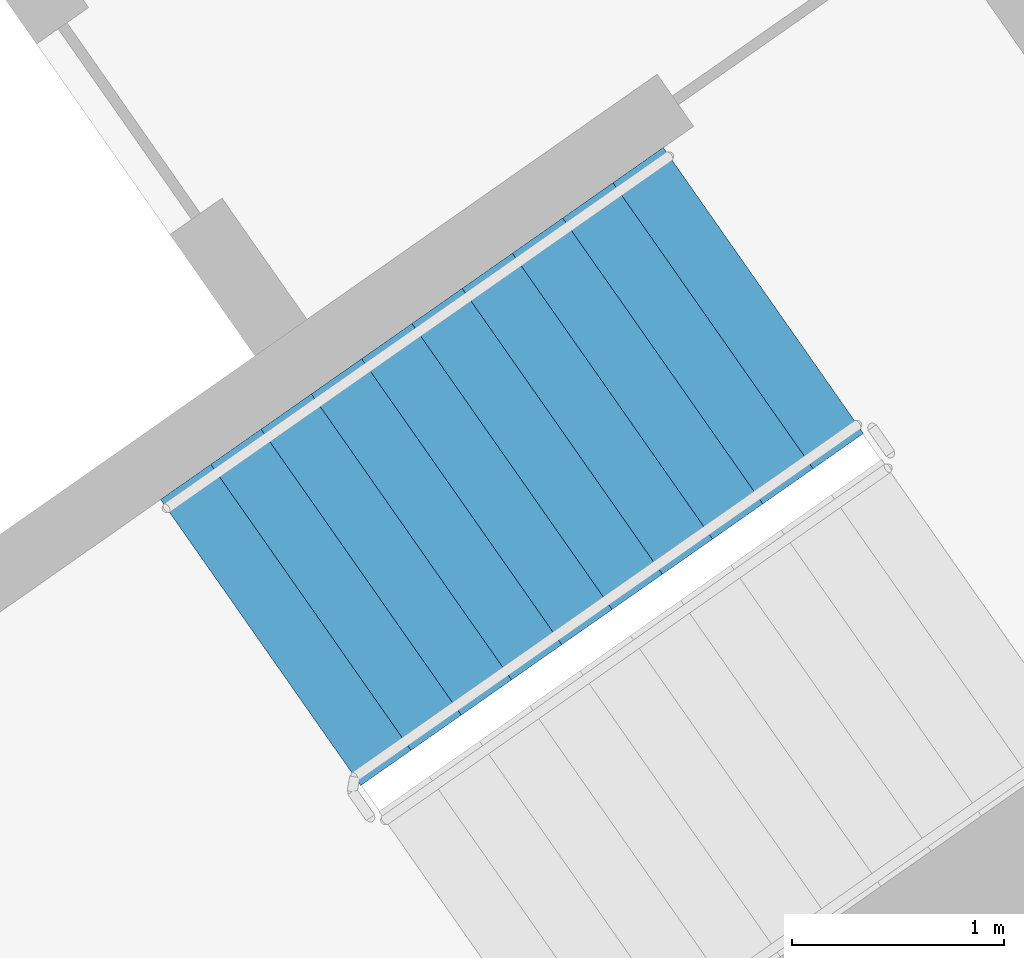
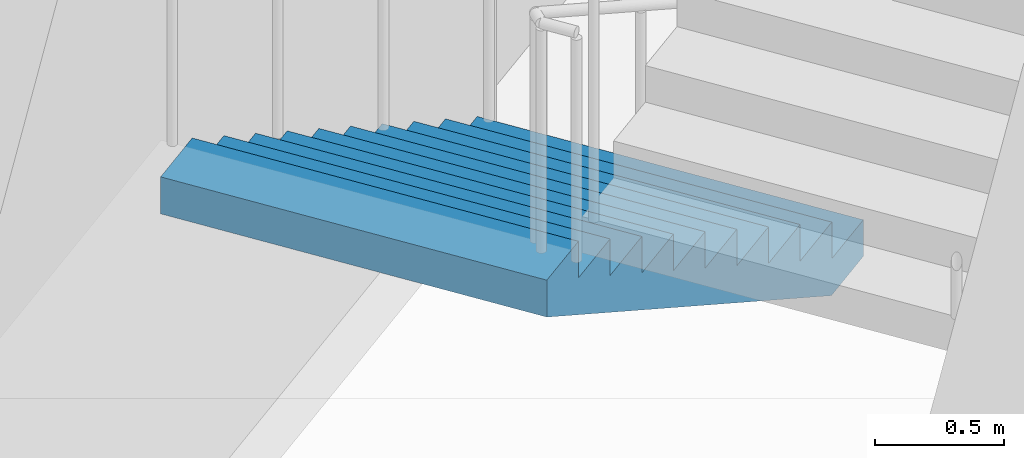
# One storey, part 17 of 31: 1 stair flight, 1 element without a shape of its own.
"""IFC4 building model written with IfcOpenShell, lengths in metres."""

import ifcopenshell
import ifcopenshell.guid

model = None  # the IFC model being written
_history = None  # IfcOwnerHistory: only IFC2X3 demands one
_inside = {}  # id of a spatial element -> (the spatial element, [elements in it])
_under = {}  # id of a project, library or spatial element -> (it, [spatial elements below it])
_declared = {}  # id of a project -> (the project, [libraries it declares])
_typed = {}  # id of a type object -> (the type object, [elements of that type])
_made_of = {}  # id of a material, layer set ... -> (it, [elements and type objects made of it])


def new_model(schema):
    """Start an empty IFC model of exactly this schema.

    Asked for "IFC4X3", IfcOpenShell would pick the latest addendum, in which some entities
    have other attributes; the version numbers below select the first issue.
    IFC2X3 requires an IfcOwnerHistory on every rooted entity: one is made here for all.
    """
    global model, _history
    if schema == "IFC4X3":
        model = ifcopenshell.file(schema_version=(4, 3, 0, 0))
    else:
        model = ifcopenshell.file(schema=schema)
    _inside.clear()
    _under.clear()
    _declared.clear()
    _typed.clear()
    _made_of.clear()
    _history = None
    if model.schema == "IFC2X3":
        org = make("IfcOrganization", Name="unknown")
        user = make(
            "IfcPersonAndOrganization",
            ThePerson=make("IfcPerson", FamilyName="unknown"),
            TheOrganization=org,
        )
        app = make(
            "IfcApplication",
            ApplicationDeveloper=org,
            Version="unknown",
            ApplicationFullName="unknown",
            ApplicationIdentifier="unknown",
        )
        _history = make(
            "IfcOwnerHistory",
            OwningUser=user,
            OwningApplication=app,
            ChangeAction="ADDED",
            CreationDate=0,
        )
    return model


def make(cls, **values):
    """One entity of the class cls with the attributes given. An attribute that is None is left unset."""
    return model.create_entity(
        cls, **{name: value for name, value in values.items() if value is not None}
    )


def rooted(cls, **values):
    """An entity with a GlobalId (a new one), such as an element, a storey or a relation."""
    return make(cls, GlobalId=ifcopenshell.guid.new(), OwnerHistory=_history, **values)


def si_unit(unit_type, name, prefix=None):
    """IfcSIUnit, for example si_unit("LENGTHUNIT", "METRE", prefix="MILLI")."""
    return make("IfcSIUnit", UnitType=unit_type, Prefix=prefix, Name=name)


def assignment(units):
    """IfcUnitAssignment: the units of a project."""
    return None if units is None else make("IfcUnitAssignment", Units=units)


def point(xyz):
    """IfcCartesianPoint."""
    return None if xyz is None else make("IfcCartesianPoint", Coordinates=xyz)


def direction(xyz):
    """IfcDirection."""
    return None if xyz is None else make("IfcDirection", DirectionRatios=xyz)


def frame(location, z_axis=None, x_axis=None):
    """IfcAxis2Placement3D, a coordinate frame: its origin and axes. An axis left out is left unset."""
    return make(
        "IfcAxis2Placement3D",
        Location=point(location),
        Axis=direction(z_axis),
        RefDirection=direction(x_axis),
    )


def origin():
    """The frame at (0, 0, 0) with its axes left unset."""
    return frame((0.0, 0.0, 0.0))


def place(relative_to, where):
    """IfcLocalPlacement: puts the frame where relative to a parent placement (None: the world)."""
    return make(
        "IfcLocalPlacement", PlacementRelTo=relative_to, RelativePlacement=where
    )


def context(
    kind, dimensions, precision=None, world=None, true_north=None, identifier=None
):
    """IfcGeometricRepresentationContext, for example the 3D "Model" context."""
    return make(
        "IfcGeometricRepresentationContext",
        ContextIdentifier=identifier,
        ContextType=kind,
        CoordinateSpaceDimension=dimensions,
        Precision=precision,
        WorldCoordinateSystem=world,
        TrueNorth=true_north,
    )


def subcontext(parent, identifier, kind, view, scale=None):
    """IfcGeometricRepresentationSubContext, for example "Body" below "Model"."""
    return make(
        "IfcGeometricRepresentationSubContext",
        ContextIdentifier=identifier,
        ContextType=kind,
        ParentContext=parent,
        TargetScale=scale,
        TargetView=view,
    )


def project(units=None, contexts=None):
    """IfcProject with its units and contexts."""
    return rooted(
        "IfcProject",
        Name="project",
        RepresentationContexts=contexts,
        UnitsInContext=assignment(units),
    )


def spatial(cls, under=None, at=None, **own):
    """A site, building, storey or space (cls), placed at a placement, below another one or the project."""
    s = rooted(cls, ObjectPlacement=at, **own)
    if under is not None:
        _under.setdefault(under.id(), (under, []))[1].append(s)
    return s


def faces_of(points, faces, orient=None, outer=None):
    """IfcFace entities. A face is a list of loops; a loop is a list of indices into points, from 0.

    orient and outer hold one flag for each loop. By default every Orientation is true, the
    first loop of a face is its IfcFaceOuterBound and the others are IfcFaceBound.
    """
    made = []
    for i, loops in enumerate(faces):
        bounds = []
        for j, loop in enumerate(loops):
            is_outer = j == 0 if outer is None else outer[i][j]
            bounds.append(
                make(
                    "IfcFaceOuterBound" if is_outer else "IfcFaceBound",
                    Bound=make("IfcPolyLoop", Polygon=[points[k] for k in loop]),
                    Orientation=True if orient is None else orient[i][j],
                )
            )
        made.append(make("IfcFace", Bounds=bounds))
    return made


def faceted_brep(points, faces, orient=None, outer=None, voids=None):
    """IfcFacetedBrep: a solid bounded by flat faces; with voids (closed shells), ...WithVoids."""
    shared = [point(p) for p in points]
    hull = make("IfcClosedShell", CfsFaces=faces_of(shared, faces, orient, outer))
    if voids is None:
        return make("IfcFacetedBrep", Outer=hull)
    return make(
        "IfcFacetedBrepWithVoids",
        Outer=hull,
        Voids=[
            make(cls, CfsFaces=faces_of(shared, fs, o, b)) for cls, fs, o, b in voids
        ],
    )


def shape(context_of_items, identifier, shape_type, items):
    """IfcShapeRepresentation: the items that make up one representation, for example the "Body"."""
    return make(
        "IfcShapeRepresentation",
        ContextOfItems=context_of_items,
        RepresentationIdentifier=identifier,
        RepresentationType=shape_type,
        Items=items,
    )


def material(Name=None, Category=None):
    """IfcMaterial."""
    return make("IfcMaterial", Name=Name, Category=Category)


def made_of(thing, what):
    """Note that an element or type object is made of a material, layer set ...; save() writes the relation."""
    if what is not None:
        _made_of.setdefault(what.id(), (what, []))[1].append(thing)
    return thing


def type_object(cls, material=None, **own):
    """A type object (cls), such as IfcWallType, which elements share."""
    return made_of(rooted(cls, **own), material)


def element(
    cls,
    number,
    at=None,
    inside=None,
    cuts=None,
    type_object=None,
    material=None,
    context=None,
    identifier="Body",
    shape_type=None,
    held_by="IfcProductDefinitionShape",
    body=None,
    shapes=None,
    **own,
):
    """One element of the class cls, such as IfcWall. Its Tag is "e" and its number.

    at: its placement. inside: the storey or other place that contains it. cuts: it is an
    opening in that element (IfcRelVoidsElement). A single representation is given by context,
    identifier, shape_type and body (its items); several are given by shapes. held_by: the class
    of the entity that holds the representations. save() writes the other relations.
    """
    e = rooted(cls, Tag="e%d" % number, ObjectPlacement=at, **own)
    if body is not None:
        shapes = [shape(context, identifier, shape_type, body)]
    if shapes is not None:
        e.Representation = make(held_by, Representations=shapes)
    if inside is not None:
        _inside.setdefault(inside.id(), (inside, []))[1].append(e)
    if cuts is not None:
        rooted(
            "IfcRelVoidsElement", RelatingBuildingElement=cuts, RelatedOpeningElement=e
        )
    if type_object is not None:
        _typed.setdefault(type_object.id(), (type_object, []))[1].append(e)
    return made_of(e, material)


def aggregate(whole, parts):
    """IfcRelAggregates: a whole, such as a stair, and the parts it consists of."""
    return rooted("IfcRelAggregates", RelatingObject=whole, RelatedObjects=parts)


def save(model, path):
    """Write the relations noted so far, then the file.

    IfcRelAggregates (storeys below a building ...), IfcRelContainedInSpatialStructure (elements
    in a storey), IfcRelDefinesByType, IfcRelAssociatesMaterial and IfcRelDeclares: one each for
    every whole, place, type object, material and project.
    """
    for whole, parts in _under.values():
        aggregate(whole, parts)
    for where, things in _inside.values():
        rooted(
            "IfcRelContainedInSpatialStructure",
            RelatedElements=things,
            RelatingStructure=where,
        )
    for kind, things in _typed.values():
        rooted("IfcRelDefinesByType", RelatedObjects=things, RelatingType=kind)
    for what, things in _made_of.values():
        rooted("IfcRelAssociatesMaterial", RelatedObjects=things, RelatingMaterial=what)
    for by, libraries in _declared.values():
        rooted("IfcRelDeclares", RelatingContext=by, RelatedDefinitions=libraries)
    model.write(path)


model = new_model("IFC4")

# Units and contexts
model_context = context("Model", 3, precision=1e-05, world=origin(), true_north=direction((0.0, 1.0)))
body_context = subcontext(model_context, "Body", "Model", "MODEL_VIEW")
ifc_project = project(units=[si_unit("LENGTHUNIT", "METRE"), si_unit("AREAUNIT", "SQUARE_METRE"), si_unit("VOLUMEUNIT", "CUBIC_METRE"), si_unit("PLANEANGLEUNIT", "RADIAN"), si_unit("MASSUNIT", "GRAM", prefix="KILO")], contexts=[model_context])

# Site, building, storey
site_placement = place(None, origin())
site = spatial("IfcSite", under=ifc_project, at=site_placement, CompositionType="ELEMENT")
building_placement = place(site_placement, origin())
building = spatial("IfcBuilding", under=site, at=building_placement, Name="Qamariyya Broadcast Tower", CompositionType="ELEMENT")
storey_placement = place(building_placement, frame((0.0, 0.0, 86.10009765625)))
storey = spatial("IfcBuildingStorey", under=building, at=storey_placement, Name="L18", CompositionType="ELEMENT", Elevation=86.10009765625)

# Stair, stair flight
ifc_material = material(Name="Concrete C50/60", Category="concrete")
stair_type = type_object("IfcStairType", Name="Exit stair 22 risers of 173 mm", PredefinedType="HALF_TURN_STAIR", material=ifc_material)
stair_placement = place(storey_placement, origin())
stair = element("IfcStair", 1, at=stair_placement, inside=storey, type_object=stair_type, Name="L18 Stair E1", PredefinedType="HALF_TURN_STAIR")
stair_flight_type = type_object("IfcStairFlightType", Name="Exit stair flight 11 risers of 173 mm", PredefinedType="STRAIGHT", material=ifc_material)
stair_flight_placement = place(storey_placement, frame((46.036376953125, -55.508056640625, 0.0), z_axis=(0.0, 0.0, 1.0), x_axis=(-0.819152044289, -0.573576436351, 0.0)))
stair_flight = element("IfcStairFlight", 2, at=stair_flight_placement, type_object=stair_flight_type, Name="ST-E1 flight 1", NumberOfRisers=11, NumberOfTreads=10, PredefinedType="STRAIGHT", RiserHeight=0.172727273, TreadLength=0.29, context=body_context, shape_type="Brep", body=[
    faceted_brep([(0.0, 0.824951171875, 0.0), (0.0, 0.824951171875, 0.172607421875), (0.2900390625, 0.824951171875, 0.172607421875), (0.2900390625, 0.824951171875, 0.345458984375), (0.580078125, 0.824951171875, 0.345458984375), (0.580078125, 0.824951171875, 0.51806640625), (0.8701171875, 0.824951171875, 0.51806640625), (0.8701171875, 0.824951171875, 0.69091796875), (1.159912109375, 0.824951171875, 0.69091796875), (1.159912109375, 0.824951171875, 0.863525390625), (1.449951171875, 0.824951171875, 0.863525390625), (1.449951171875, 0.824951171875, 1.036376953125), (1.739990234375, 0.824951171875, 1.036376953125), (1.739990234375, 0.824951171875, 1.208984375), (2.030029296875, 0.824951171875, 1.208984375), (2.030029296875, 0.824951171875, 1.3818359375), (2.320068359375, 0.824951171875, 1.3818359375), (2.320068359375, 0.824951171875, 1.554443359375), (2.610107421875, 0.824951171875, 1.554443359375), (2.610107421875, 0.824951171875, 1.727294921875), (2.89990234375, 0.824951171875, 1.727294921875), (2.89990234375, 0.824951171875, 1.552734375), (0.29296875, 0.824951171875, 0.0), (0.29296875, -0.824951171875, 0.0), (2.89990234375, -0.824951171875, 1.552734375), (2.89990234375, -0.824951171875, 1.727294921875), (2.610107421875, -0.824951171875, 1.727294921875), (2.610107421875, -0.824951171875, 1.554443359375), (2.320068359375, -0.824951171875, 1.554443359375), (2.320068359375, -0.824951171875, 1.3818359375), (2.030029296875, -0.824951171875, 1.3818359375), (2.030029296875, -0.824951171875, 1.208984375), (1.739990234375, -0.824951171875, 1.208984375), (1.739990234375, -0.824951171875, 1.036376953125), (1.449951171875, -0.824951171875, 1.036376953125), (1.449951171875, -0.824951171875, 0.863525390625), (1.159912109375, -0.824951171875, 0.863525390625), (1.159912109375, -0.824951171875, 0.69091796875), (0.8701171875, -0.824951171875, 0.69091796875), (0.8701171875, -0.824951171875, 0.51806640625), (0.580078125, -0.824951171875, 0.51806640625), (0.580078125, -0.824951171875, 0.345458984375), (0.2900390625, -0.824951171875, 0.345458984375), (0.2900390625, -0.824951171875, 0.172607421875), (0.0, -0.824951171875, 0.172607421875), (0.0, -0.824951171875, 0.0), (0.0, 0.10009765625, 0.0), (0.0, 0.086669921875, 0.0), (0.0, 0.0732421875, 0.0), (0.0, 0.06005859375, 0.0), (0.0, 0.046630859375, 0.0), (0.0, 0.033447265625, 0.0), (0.0, 0.02001953125, 0.0), (0.0, 0.006591796875, 0.0), (0.0, -0.006591796875, 0.0), (0.0, -0.02001953125, 0.0), (0.0, -0.033447265625, 0.0), (0.0, -0.046630859375, 0.0), (0.0, -0.06005859375, 0.0), (0.0, -0.0732421875, 0.0), (0.0, -0.086669921875, 0.0), (0.0, -0.10009765625, 0.0), (0.0, -0.10009765625, 0.172607421875), (0.0, -0.086669921875, 0.172607421875), (0.0, -0.0732421875, 0.172607421875), (0.0, -0.06005859375, 0.172607421875), (0.0, -0.046630859375, 0.172607421875), (0.0, -0.033447265625, 0.172607421875), (0.0, -0.02001953125, 0.172607421875), (0.0, -0.006591796875, 0.172607421875), (0.0, 0.006591796875, 0.172607421875), (0.0, 0.02001953125, 0.172607421875), (0.0, 0.033447265625, 0.172607421875), (0.0, 0.046630859375, 0.172607421875), (0.0, 0.06005859375, 0.172607421875), (0.0, 0.0732421875, 0.172607421875), (0.0, 0.086669921875, 0.172607421875), (0.0, 0.10009765625, 0.172607421875), (0.2900390625, -0.10009765625, 0.172607421875), (0.2900390625, -0.086669921875, 0.172607421875), (0.2900390625, -0.0732421875, 0.172607421875), (0.2900390625, -0.06005859375, 0.172607421875), (0.2900390625, -0.046630859375, 0.172607421875), (0.2900390625, -0.033447265625, 0.172607421875), (0.2900390625, -0.02001953125, 0.172607421875), (0.2900390625, -0.006591796875, 0.172607421875), (0.2900390625, 0.006591796875, 0.172607421875), (0.2900390625, 0.02001953125, 0.172607421875), (0.2900390625, 0.033447265625, 0.172607421875), (0.2900390625, 0.046630859375, 0.172607421875), (0.2900390625, 0.06005859375, 0.172607421875), (0.2900390625, 0.0732421875, 0.172607421875), (0.2900390625, 0.086669921875, 0.172607421875), (0.2900390625, 0.10009765625, 0.172607421875), (0.2900390625, -0.10009765625, 0.345458984375), (0.2900390625, -0.086669921875, 0.345458984375), (0.2900390625, -0.0732421875, 0.345458984375), (0.2900390625, -0.06005859375, 0.345458984375), (0.2900390625, -0.046630859375, 0.345458984375), (0.2900390625, -0.033447265625, 0.345458984375), (0.2900390625, -0.02001953125, 0.345458984375), (0.2900390625, -0.006591796875, 0.345458984375), (0.2900390625, 0.006591796875, 0.345458984375), (0.2900390625, 0.02001953125, 0.345458984375), (0.2900390625, 0.033447265625, 0.345458984375), (0.2900390625, 0.046630859375, 0.345458984375), (0.2900390625, 0.06005859375, 0.345458984375), (0.2900390625, 0.0732421875, 0.345458984375), (0.2900390625, 0.086669921875, 0.345458984375), (0.2900390625, 0.10009765625, 0.345458984375), (0.580078125, -0.10009765625, 0.345458984375), (0.580078125, -0.086669921875, 0.345458984375), (0.580078125, -0.0732421875, 0.345458984375), (0.580078125, -0.06005859375, 0.345458984375), (0.580078125, -0.046630859375, 0.345458984375), (0.580078125, -0.033447265625, 0.345458984375), (0.580078125, -0.02001953125, 0.345458984375), (0.580078125, -0.006591796875, 0.345458984375), (0.580078125, 0.006591796875, 0.345458984375), (0.580078125, 0.02001953125, 0.345458984375), (0.580078125, 0.033447265625, 0.345458984375), (0.580078125, 0.046630859375, 0.345458984375), (0.580078125, 0.06005859375, 0.345458984375), (0.580078125, 0.0732421875, 0.345458984375), (0.580078125, 0.086669921875, 0.345458984375), (0.580078125, 0.10009765625, 0.345458984375), (0.580078125, -0.10009765625, 0.51806640625), (0.580078125, -0.086669921875, 0.51806640625), (0.580078125, -0.0732421875, 0.51806640625), (0.580078125, -0.06005859375, 0.51806640625), (0.580078125, -0.046630859375, 0.51806640625), (0.580078125, -0.033447265625, 0.51806640625), (0.580078125, -0.02001953125, 0.51806640625), (0.580078125, -0.006591796875, 0.51806640625), (0.580078125, 0.006591796875, 0.51806640625), (0.580078125, 0.02001953125, 0.51806640625), (0.580078125, 0.033447265625, 0.51806640625), (0.580078125, 0.046630859375, 0.51806640625), (0.580078125, 0.06005859375, 0.51806640625), (0.580078125, 0.0732421875, 0.51806640625), (0.580078125, 0.086669921875, 0.51806640625), (0.580078125, 0.10009765625, 0.51806640625), (0.8701171875, -0.10009765625, 0.51806640625), (0.8701171875, -0.086669921875, 0.51806640625), (0.8701171875, -0.0732421875, 0.51806640625), (0.8701171875, -0.06005859375, 0.51806640625), (0.8701171875, -0.046630859375, 0.51806640625), (0.8701171875, -0.033447265625, 0.51806640625), (0.8701171875, -0.02001953125, 0.51806640625), (0.8701171875, -0.006591796875, 0.51806640625), (0.8701171875, 0.006591796875, 0.51806640625), (0.8701171875, 0.02001953125, 0.51806640625), (0.8701171875, 0.033447265625, 0.51806640625), (0.8701171875, 0.046630859375, 0.51806640625), (0.8701171875, 0.06005859375, 0.51806640625), (0.8701171875, 0.0732421875, 0.51806640625), (0.8701171875, 0.086669921875, 0.51806640625), (0.8701171875, 0.10009765625, 0.51806640625), (0.8701171875, -0.10009765625, 0.69091796875), (0.8701171875, -0.086669921875, 0.69091796875), (0.8701171875, -0.0732421875, 0.69091796875), (0.8701171875, -0.06005859375, 0.69091796875), (0.8701171875, -0.046630859375, 0.69091796875), (0.8701171875, -0.033447265625, 0.69091796875), (0.8701171875, -0.02001953125, 0.69091796875), (0.8701171875, -0.006591796875, 0.69091796875), (0.8701171875, 0.006591796875, 0.69091796875), (0.8701171875, 0.02001953125, 0.69091796875), (0.8701171875, 0.033447265625, 0.69091796875), (0.8701171875, 0.046630859375, 0.69091796875), (0.8701171875, 0.06005859375, 0.69091796875), (0.8701171875, 0.0732421875, 0.69091796875), (0.8701171875, 0.086669921875, 0.69091796875), (0.8701171875, 0.10009765625, 0.69091796875), (1.159912109375, -0.10009765625, 0.69091796875), (1.159912109375, -0.086669921875, 0.69091796875), (1.159912109375, -0.0732421875, 0.69091796875), (1.159912109375, -0.06005859375, 0.69091796875), (1.159912109375, -0.046630859375, 0.69091796875), (1.159912109375, -0.033447265625, 0.69091796875), (1.159912109375, -0.02001953125, 0.69091796875), (1.159912109375, -0.006591796875, 0.69091796875), (1.159912109375, 0.006591796875, 0.69091796875), (1.159912109375, 0.02001953125, 0.69091796875), (1.159912109375, 0.033447265625, 0.69091796875), (1.159912109375, 0.046630859375, 0.69091796875), (1.159912109375, 0.06005859375, 0.69091796875), (1.159912109375, 0.0732421875, 0.69091796875), (1.159912109375, 0.086669921875, 0.69091796875), (1.159912109375, 0.10009765625, 0.69091796875), (1.159912109375, -0.10009765625, 0.863525390625), (1.159912109375, -0.086669921875, 0.863525390625), (1.159912109375, -0.0732421875, 0.863525390625), (1.159912109375, -0.06005859375, 0.863525390625), (1.159912109375, -0.046630859375, 0.863525390625), (1.159912109375, -0.033447265625, 0.863525390625), (1.159912109375, -0.02001953125, 0.863525390625), (1.159912109375, -0.006591796875, 0.863525390625), (1.159912109375, 0.006591796875, 0.863525390625), (1.159912109375, 0.02001953125, 0.863525390625), (1.159912109375, 0.033447265625, 0.863525390625), (1.159912109375, 0.046630859375, 0.863525390625), (1.159912109375, 0.06005859375, 0.863525390625), (1.159912109375, 0.0732421875, 0.863525390625), (1.159912109375, 0.086669921875, 0.863525390625), (1.159912109375, 0.10009765625, 0.863525390625), (1.449951171875, -0.10009765625, 0.863525390625), (1.449951171875, -0.086669921875, 0.863525390625), (1.449951171875, -0.0732421875, 0.863525390625), (1.449951171875, -0.06005859375, 0.863525390625), (1.449951171875, -0.046630859375, 0.863525390625), (1.449951171875, -0.033447265625, 0.863525390625), (1.449951171875, -0.02001953125, 0.863525390625), (1.449951171875, -0.006591796875, 0.863525390625), (1.449951171875, 0.006591796875, 0.863525390625), (1.449951171875, 0.02001953125, 0.863525390625), (1.449951171875, 0.033447265625, 0.863525390625), (1.449951171875, 0.046630859375, 0.863525390625), (1.449951171875, 0.06005859375, 0.863525390625), (1.449951171875, 0.0732421875, 0.863525390625), (1.449951171875, 0.086669921875, 0.863525390625), (1.449951171875, 0.10009765625, 0.863525390625), (1.449951171875, -0.10009765625, 1.036376953125), (1.449951171875, -0.086669921875, 1.036376953125), (1.449951171875, -0.0732421875, 1.036376953125), (1.449951171875, -0.06005859375, 1.036376953125), (1.449951171875, -0.046630859375, 1.036376953125), (1.449951171875, -0.033447265625, 1.036376953125), (1.449951171875, -0.02001953125, 1.036376953125), (1.449951171875, -0.006591796875, 1.036376953125), (1.449951171875, 0.006591796875, 1.036376953125), (1.449951171875, 0.02001953125, 1.036376953125), (1.449951171875, 0.033447265625, 1.036376953125), (1.449951171875, 0.046630859375, 1.036376953125), (1.449951171875, 0.06005859375, 1.036376953125), (1.449951171875, 0.0732421875, 1.036376953125), (1.449951171875, 0.086669921875, 1.036376953125), (1.449951171875, 0.10009765625, 1.036376953125), (1.739990234375, -0.10009765625, 1.036376953125), (1.739990234375, -0.086669921875, 1.036376953125), (1.739990234375, -0.0732421875, 1.036376953125), (1.739990234375, -0.06005859375, 1.036376953125), (1.739990234375, -0.046630859375, 1.036376953125), (1.739990234375, -0.033447265625, 1.036376953125), (1.739990234375, -0.02001953125, 1.036376953125), (1.739990234375, -0.006591796875, 1.036376953125), (1.739990234375, 0.006591796875, 1.036376953125), (1.739990234375, 0.02001953125, 1.036376953125), (1.739990234375, 0.033447265625, 1.036376953125), (1.739990234375, 0.046630859375, 1.036376953125), (1.739990234375, 0.06005859375, 1.036376953125), (1.739990234375, 0.0732421875, 1.036376953125), (1.739990234375, 0.086669921875, 1.036376953125), (1.739990234375, 0.10009765625, 1.036376953125), (1.739990234375, -0.10009765625, 1.208984375), (1.739990234375, -0.086669921875, 1.208984375), (1.739990234375, -0.0732421875, 1.208984375), (1.739990234375, -0.06005859375, 1.208984375), (1.739990234375, -0.046630859375, 1.208984375), (1.739990234375, -0.033447265625, 1.208984375), (1.739990234375, -0.02001953125, 1.208984375), (1.739990234375, -0.006591796875, 1.208984375), (1.739990234375, 0.006591796875, 1.208984375), (1.739990234375, 0.02001953125, 1.208984375), (1.739990234375, 0.033447265625, 1.208984375), (1.739990234375, 0.046630859375, 1.208984375), (1.739990234375, 0.06005859375, 1.208984375), (1.739990234375, 0.0732421875, 1.208984375), (1.739990234375, 0.086669921875, 1.208984375), (1.739990234375, 0.10009765625, 1.208984375), (2.030029296875, -0.10009765625, 1.208984375), (2.030029296875, -0.086669921875, 1.208984375), (2.030029296875, -0.0732421875, 1.208984375), (2.030029296875, -0.06005859375, 1.208984375), (2.030029296875, -0.046630859375, 1.208984375), (2.030029296875, -0.033447265625, 1.208984375), (2.030029296875, -0.02001953125, 1.208984375), (2.030029296875, -0.006591796875, 1.208984375), (2.030029296875, 0.006591796875, 1.208984375), (2.030029296875, 0.02001953125, 1.208984375), (2.030029296875, 0.033447265625, 1.208984375), (2.030029296875, 0.046630859375, 1.208984375), (2.030029296875, 0.06005859375, 1.208984375), (2.030029296875, 0.0732421875, 1.208984375), (2.030029296875, 0.086669921875, 1.208984375), (2.030029296875, 0.10009765625, 1.208984375), (2.030029296875, -0.10009765625, 1.3818359375), (2.030029296875, -0.086669921875, 1.3818359375), (2.030029296875, -0.0732421875, 1.3818359375), (2.030029296875, -0.06005859375, 1.3818359375), (2.030029296875, -0.046630859375, 1.3818359375), (2.030029296875, -0.033447265625, 1.3818359375), (2.030029296875, -0.02001953125, 1.3818359375), (2.030029296875, -0.006591796875, 1.3818359375), (2.030029296875, 0.006591796875, 1.3818359375), (2.030029296875, 0.02001953125, 1.3818359375), (2.030029296875, 0.033447265625, 1.3818359375), (2.030029296875, 0.046630859375, 1.3818359375), (2.030029296875, 0.06005859375, 1.3818359375), (2.030029296875, 0.0732421875, 1.3818359375), (2.030029296875, 0.086669921875, 1.3818359375), (2.030029296875, 0.10009765625, 1.3818359375), (2.320068359375, -0.10009765625, 1.3818359375), (2.320068359375, -0.086669921875, 1.3818359375), (2.320068359375, -0.0732421875, 1.3818359375), (2.320068359375, -0.06005859375, 1.3818359375), (2.320068359375, -0.046630859375, 1.3818359375), (2.320068359375, -0.033447265625, 1.3818359375), (2.320068359375, -0.02001953125, 1.3818359375), (2.320068359375, -0.006591796875, 1.3818359375), (2.320068359375, 0.006591796875, 1.3818359375), (2.320068359375, 0.02001953125, 1.3818359375), (2.320068359375, 0.033447265625, 1.3818359375), (2.320068359375, 0.046630859375, 1.3818359375), (2.320068359375, 0.06005859375, 1.3818359375), (2.320068359375, 0.0732421875, 1.3818359375), (2.320068359375, 0.086669921875, 1.3818359375), (2.320068359375, 0.10009765625, 1.3818359375), (2.320068359375, -0.10009765625, 1.554443359375), (2.320068359375, -0.086669921875, 1.554443359375), (2.320068359375, -0.0732421875, 1.554443359375), (2.320068359375, -0.06005859375, 1.554443359375), (2.320068359375, -0.046630859375, 1.554443359375), (2.320068359375, -0.033447265625, 1.554443359375), (2.320068359375, -0.02001953125, 1.554443359375), (2.320068359375, -0.006591796875, 1.554443359375), (2.320068359375, 0.006591796875, 1.554443359375), (2.320068359375, 0.02001953125, 1.554443359375), (2.320068359375, 0.033447265625, 1.554443359375), (2.320068359375, 0.046630859375, 1.554443359375), (2.320068359375, 0.06005859375, 1.554443359375), (2.320068359375, 0.0732421875, 1.554443359375), (2.320068359375, 0.086669921875, 1.554443359375), (2.320068359375, 0.10009765625, 1.554443359375), (2.610107421875, -0.10009765625, 1.554443359375), (2.610107421875, -0.086669921875, 1.554443359375), (2.610107421875, -0.0732421875, 1.554443359375), (2.610107421875, -0.06005859375, 1.554443359375), (2.610107421875, -0.046630859375, 1.554443359375), (2.610107421875, -0.033447265625, 1.554443359375), (2.610107421875, -0.02001953125, 1.554443359375), (2.610107421875, -0.006591796875, 1.554443359375), (2.610107421875, 0.006591796875, 1.554443359375), (2.610107421875, 0.02001953125, 1.554443359375), (2.610107421875, 0.033447265625, 1.554443359375), (2.610107421875, 0.046630859375, 1.554443359375), (2.610107421875, 0.06005859375, 1.554443359375), (2.610107421875, 0.0732421875, 1.554443359375), (2.610107421875, 0.086669921875, 1.554443359375), (2.610107421875, 0.10009765625, 1.554443359375), (2.610107421875, -0.10009765625, 1.727294921875), (2.610107421875, -0.086669921875, 1.727294921875), (2.610107421875, -0.0732421875, 1.727294921875), (2.610107421875, -0.06005859375, 1.727294921875), (2.610107421875, -0.046630859375, 1.727294921875), (2.610107421875, -0.033447265625, 1.727294921875), (2.610107421875, -0.02001953125, 1.727294921875), (2.610107421875, -0.006591796875, 1.727294921875), (2.610107421875, 0.006591796875, 1.727294921875), (2.610107421875, 0.02001953125, 1.727294921875), (2.610107421875, 0.033447265625, 1.727294921875), (2.610107421875, 0.046630859375, 1.727294921875), (2.610107421875, 0.06005859375, 1.727294921875), (2.610107421875, 0.0732421875, 1.727294921875), (2.610107421875, 0.086669921875, 1.727294921875), (2.610107421875, 0.10009765625, 1.727294921875), (2.89990234375, -0.10009765625, 1.727294921875), (2.89990234375, -0.086669921875, 1.727294921875), (2.89990234375, -0.0732421875, 1.727294921875), (2.89990234375, -0.06005859375, 1.727294921875), (2.89990234375, -0.046630859375, 1.727294921875), (2.89990234375, -0.033447265625, 1.727294921875), (2.89990234375, -0.02001953125, 1.727294921875), (2.89990234375, -0.006591796875, 1.727294921875), (2.89990234375, 0.006591796875, 1.727294921875), (2.89990234375, 0.02001953125, 1.727294921875), (2.89990234375, 0.033447265625, 1.727294921875), (2.89990234375, 0.046630859375, 1.727294921875), (2.89990234375, 0.06005859375, 1.727294921875), (2.89990234375, 0.0732421875, 1.727294921875), (2.89990234375, 0.086669921875, 1.727294921875), (2.89990234375, 0.10009765625, 1.727294921875), (2.89990234375, -0.10009765625, 1.552734375), (2.89990234375, -0.086669921875, 1.552734375), (2.89990234375, -0.0732421875, 1.552734375), (2.89990234375, -0.06005859375, 1.552734375), (2.89990234375, -0.046630859375, 1.552734375), (2.89990234375, -0.033447265625, 1.552734375), (2.89990234375, -0.02001953125, 1.552734375), (2.89990234375, -0.006591796875, 1.552734375), (2.89990234375, 0.006591796875, 1.552734375), (2.89990234375, 0.02001953125, 1.552734375), (2.89990234375, 0.033447265625, 1.552734375), (2.89990234375, 0.046630859375, 1.552734375), (2.89990234375, 0.06005859375, 1.552734375), (2.89990234375, 0.0732421875, 1.552734375), (2.89990234375, 0.086669921875, 1.552734375), (2.89990234375, 0.10009765625, 1.552734375), (0.29296875, -0.10009765625, 0.0), (0.29296875, -0.086669921875, 0.0), (0.29296875, -0.0732421875, 0.0), (0.29296875, -0.06005859375, 0.0), (0.29296875, -0.046630859375, 0.0), (0.29296875, -0.033447265625, 0.0), (0.29296875, -0.02001953125, 0.0), (0.29296875, -0.006591796875, 0.0), (0.29296875, 0.006591796875, 0.0), (0.29296875, 0.02001953125, 0.0), (0.29296875, 0.033447265625, 0.0), (0.29296875, 0.046630859375, 0.0), (0.29296875, 0.06005859375, 0.0), (0.29296875, 0.0732421875, 0.0), (0.29296875, 0.086669921875, 0.0), (0.29296875, 0.10009765625, 0.0)], [[[0, 1, 2, 3, 4, 5, 6, 7, 8, 9, 10, 11, 12, 13, 14, 15, 16, 17, 18, 19, 20, 21, 22]], [[23, 24, 25, 26, 27, 28, 29, 30, 31, 32, 33, 34, 35, 36, 37, 38, 39, 40, 41, 42, 43, 44, 45]], [[0, 46, 47, 48, 49, 50, 51, 52, 53, 54, 55, 56, 57, 58, 59, 60, 61, 45, 44, 62, 63, 64, 65, 66, 67, 68, 69, 70, 71, 72, 73, 74, 75, 76, 77, 1]], [[1, 77, 76, 75, 74, 73, 72, 71, 70, 69, 68, 67, 66, 65, 64, 63, 62, 44, 43, 78, 79, 80, 81, 82, 83, 84, 85, 86, 87, 88, 89, 90, 91, 92, 93, 2]], [[2, 93, 92, 91, 90, 89, 88, 87, 86, 85, 84, 83, 82, 81, 80, 79, 78, 43, 42, 94, 95, 96, 97, 98, 99, 100, 101, 102, 103, 104, 105, 106, 107, 108, 109, 3]], [[3, 109, 108, 107, 106, 105, 104, 103, 102, 101, 100, 99, 98, 97, 96, 95, 94, 42, 41, 110, 111, 112, 113, 114, 115, 116, 117, 118, 119, 120, 121, 122, 123, 124, 125, 4]], [[4, 125, 124, 123, 122, 121, 120, 119, 118, 117, 116, 115, 114, 113, 112, 111, 110, 41, 40, 126, 127, 128, 129, 130, 131, 132, 133, 134, 135, 136, 137, 138, 139, 140, 141, 5]], [[5, 141, 140, 139, 138, 137, 136, 135, 134, 133, 132, 131, 130, 129, 128, 127, 126, 40, 39, 142, 143, 144, 145, 146, 147, 148, 149, 150, 151, 152, 153, 154, 155, 156, 157, 6]], [[6, 157, 156, 155, 154, 153, 152, 151, 150, 149, 148, 147, 146, 145, 144, 143, 142, 39, 38, 158, 159, 160, 161, 162, 163, 164, 165, 166, 167, 168, 169, 170, 171, 172, 173, 7]], [[7, 173, 172, 171, 170, 169, 168, 167, 166, 165, 164, 163, 162, 161, 160, 159, 158, 38, 37, 174, 175, 176, 177, 178, 179, 180, 181, 182, 183, 184, 185, 186, 187, 188, 189, 8]], [[8, 189, 188, 187, 186, 185, 184, 183, 182, 181, 180, 179, 178, 177, 176, 175, 174, 37, 36, 190, 191, 192, 193, 194, 195, 196, 197, 198, 199, 200, 201, 202, 203, 204, 205, 9]], [[9, 205, 204, 203, 202, 201, 200, 199, 198, 197, 196, 195, 194, 193, 192, 191, 190, 36, 35, 206, 207, 208, 209, 210, 211, 212, 213, 214, 215, 216, 217, 218, 219, 220, 221, 10]], [[10, 221, 220, 219, 218, 217, 216, 215, 214, 213, 212, 211, 210, 209, 208, 207, 206, 35, 34, 222, 223, 224, 225, 226, 227, 228, 229, 230, 231, 232, 233, 234, 235, 236, 237, 11]], [[11, 237, 236, 235, 234, 233, 232, 231, 230, 229, 228, 227, 226, 225, 224, 223, 222, 34, 33, 238, 239, 240, 241, 242, 243, 244, 245, 246, 247, 248, 249, 250, 251, 252, 253, 12]], [[12, 253, 252, 251, 250, 249, 248, 247, 246, 245, 244, 243, 242, 241, 240, 239, 238, 33, 32, 254, 255, 256, 257, 258, 259, 260, 261, 262, 263, 264, 265, 266, 267, 268, 269, 13]], [[13, 269, 268, 267, 266, 265, 264, 263, 262, 261, 260, 259, 258, 257, 256, 255, 254, 32, 31, 270, 271, 272, 273, 274, 275, 276, 277, 278, 279, 280, 281, 282, 283, 284, 285, 14]], [[14, 285, 284, 283, 282, 281, 280, 279, 278, 277, 276, 275, 274, 273, 272, 271, 270, 31, 30, 286, 287, 288, 289, 290, 291, 292, 293, 294, 295, 296, 297, 298, 299, 300, 301, 15]], [[15, 301, 300, 299, 298, 297, 296, 295, 294, 293, 292, 291, 290, 289, 288, 287, 286, 30, 29, 302, 303, 304, 305, 306, 307, 308, 309, 310, 311, 312, 313, 314, 315, 316, 317, 16]], [[16, 317, 316, 315, 314, 313, 312, 311, 310, 309, 308, 307, 306, 305, 304, 303, 302, 29, 28, 318, 319, 320, 321, 322, 323, 324, 325, 326, 327, 328, 329, 330, 331, 332, 333, 17]], [[17, 333, 332, 331, 330, 329, 328, 327, 326, 325, 324, 323, 322, 321, 320, 319, 318, 28, 27, 334, 335, 336, 337, 338, 339, 340, 341, 342, 343, 344, 345, 346, 347, 348, 349, 18]], [[18, 349, 348, 347, 346, 345, 344, 343, 342, 341, 340, 339, 338, 337, 336, 335, 334, 27, 26, 350, 351, 352, 353, 354, 355, 356, 357, 358, 359, 360, 361, 362, 363, 364, 365, 19]], [[19, 365, 364, 363, 362, 361, 360, 359, 358, 357, 356, 355, 354, 353, 352, 351, 350, 26, 25, 366, 367, 368, 369, 370, 371, 372, 373, 374, 375, 376, 377, 378, 379, 380, 381, 20]], [[20, 381, 380, 379, 378, 377, 376, 375, 374, 373, 372, 371, 370, 369, 368, 367, 366, 25, 24, 382, 383, 384, 385, 386, 387, 388, 389, 390, 391, 392, 393, 394, 395, 396, 397, 21]], [[21, 397, 396, 395, 394, 393, 392, 391, 390, 389, 388, 387, 386, 385, 384, 383, 382, 24, 23, 398, 399, 400, 401, 402, 403, 404, 405, 406, 407, 408, 409, 410, 411, 412, 413, 22]], [[22, 413, 412, 411, 410, 409, 408, 407, 406, 405, 404, 403, 402, 401, 400, 399, 398, 23, 45, 61, 60, 59, 58, 57, 56, 55, 54, 53, 52, 51, 50, 49, 48, 47, 46, 0]]]),
])
aggregate(stair, [stair_flight])

save(model, "model.ifc")
